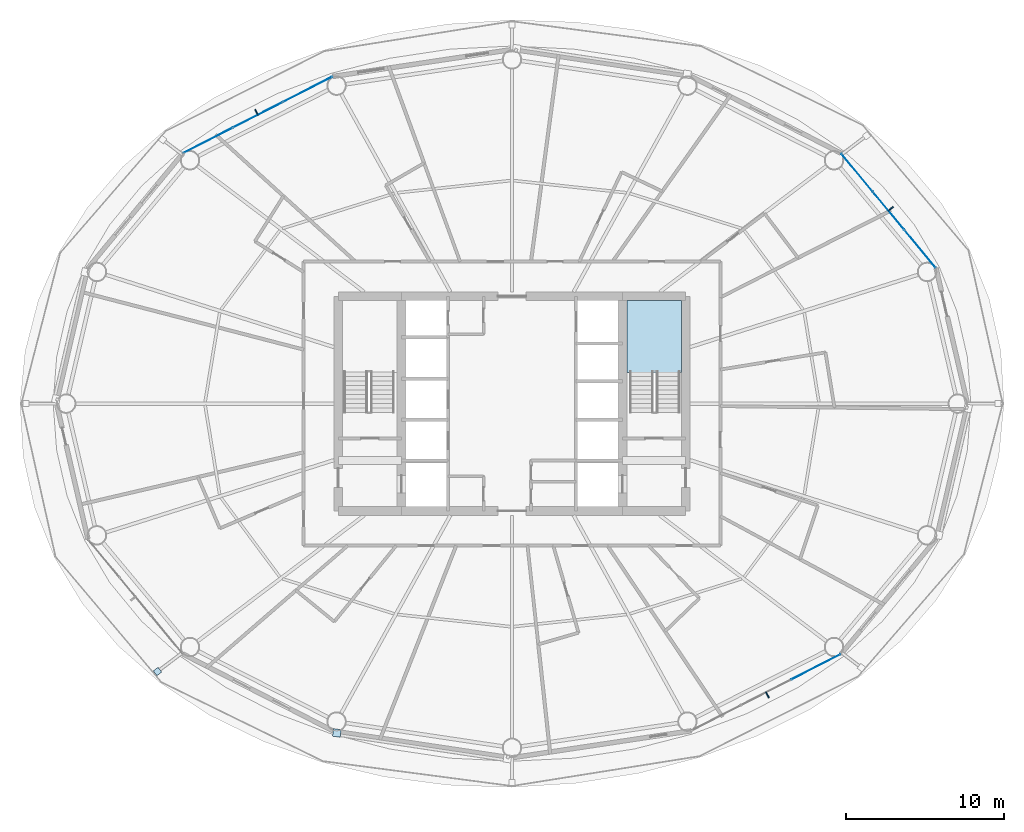
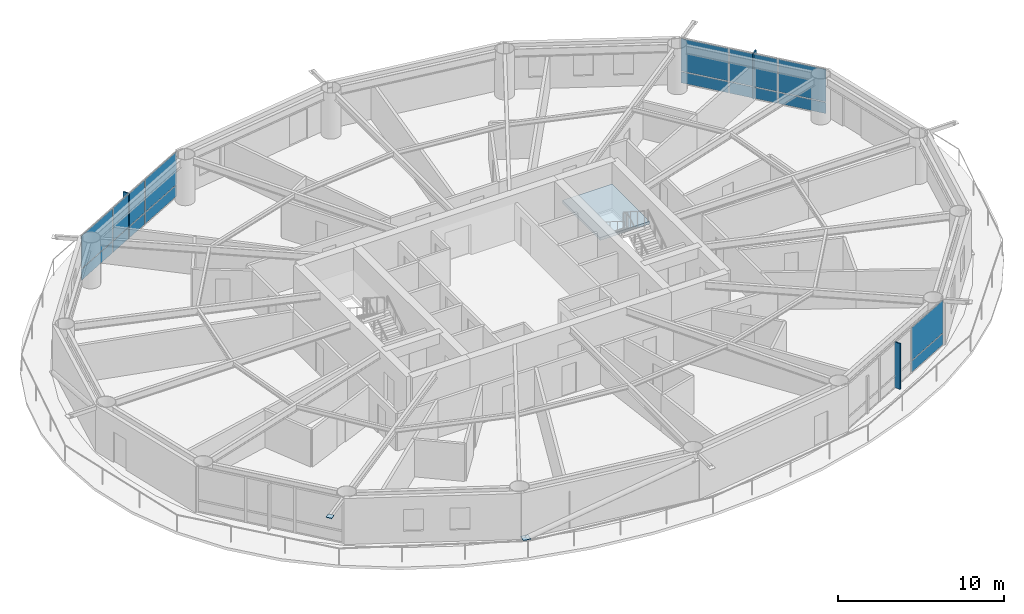
# One storey, part 16 of 24: 19 plates, 1 slab, 4 elements without a shape of their own.
"""IFC4 building model written with IfcOpenShell, lengths in metres."""

from ifc_helpers import new_model, si_unit, direction, frame, origin, origin_2d, place, context, subcontext, project, spatial, polyline, rectangle, outline, extrude, material, layer, layer_set, type_object, element, aggregate, save


model = new_model("IFC4")

# Units and contexts
model_context = context("Model", 3, precision=1e-05, world=origin(), true_north=direction((0.0, 1.0)))
body_context = subcontext(model_context, "Body", "Model", "MODEL_VIEW")
ifc_project = project(units=[si_unit("LENGTHUNIT", "METRE"), si_unit("AREAUNIT", "SQUARE_METRE"), si_unit("VOLUMEUNIT", "CUBIC_METRE"), si_unit("PLANEANGLEUNIT", "RADIAN"), si_unit("MASSUNIT", "GRAM", prefix="KILO")], contexts=[model_context])

# Site, building, storey
site_placement = place(None, origin())
site = spatial("IfcSite", under=ifc_project, at=site_placement, CompositionType="ELEMENT")
building_placement = place(site_placement, origin())
building = spatial("IfcBuilding", under=site, at=building_placement, Name="Sarneth Arch Tower", CompositionType="ELEMENT")
storey_placement = place(building_placement, frame((0.0, 0.0, 112.800048828125)))
storey = spatial("IfcBuildingStorey", under=building, at=storey_placement, Name="L28", CompositionType="ELEMENT", Elevation=112.800048828125)

# Curtain wall, plates
ifc_material_1 = material(Name="Anodised aluminium Type AA25 and solar-control low-e laminated IGU", Category="aluminium")
ifc_layer_1 = layer(ifc_material_1, 0.159912109375)
ifc_layer_set_1 = layer_set([ifc_layer_1], Name="Anodised aluminium Type AA25 and solar-control low-e laminated IGU")
curtain_wall_type = type_object("IfcCurtainWallType", Name="CW-HOTEL-MID", PredefinedType="NOTDEFINED", material=ifc_layer_set_1)
curtain_wall_1_placement = place(storey_placement, origin())
curtain_wall_1 = element("IfcCurtainWall", 1, at=curtain_wall_1_placement, inside=storey, type_object=curtain_wall_type, Name="L28 Unitised curtain wall facet 02", PredefinedType="NOTDEFINED")
ifc_material_2 = material(Name="Solar-control low-e laminated IGU", Category="glass")
ifc_layer_2 = layer(ifc_material_2, 0.028076171875)
ifc_layer_set_2 = layer_set([ifc_layer_2], Name="Solar-control low-e laminated IGU")
plate_type_1 = type_object("IfcPlateType", Name="CW-PANEL", PredefinedType="CURTAIN_PANEL", material=ifc_layer_set_2)
plate_1_placement = place(storey_placement, frame((73.84814453125, 51.807861328125, 0.059814453125), z_axis=(0.0, 0.0, 1.0), x_axis=(-0.637515188684, 0.770437787363, 0.0)))
plate_1 = element("IfcPlate", 2, at=plate_1_placement, type_object=plate_type_1, Name="Curtain wall glazed vision pane CW-L28-F02/P00-00", PredefinedType="CURTAIN_PANEL", context=body_context, shape_type="SweptSolid", body=[
    extrude(rectangle(XDim=3.058349609375, YDim=0.028076171875, at=origin_2d()), origin(), (0.0, 0.0, 1.0), 0.81005859375),
])
plate_2_placement = place(storey_placement, frame((73.84814453125, 51.807861328125, 0.93017578125), z_axis=(0.0, 0.0, 1.0), x_axis=(-0.637515188684, 0.770437787363, 0.0)))
plate_2 = element("IfcPlate", 3, at=plate_2_placement, type_object=plate_type_1, Name="Curtain wall glazed vision pane CW-L28-F02/P00-01", PredefinedType="CURTAIN_PANEL", context=body_context, shape_type="SweptSolid", body=[
    extrude(rectangle(XDim=3.058349609375, YDim=0.028076171875, at=origin_2d()), origin(), (0.0, 0.0, 1.0), 2.389892578125),
])
plate_3_placement = place(storey_placement, frame((71.8505859375, 54.221923828125, 0.059814453125), z_axis=(0.0, 0.0, 1.0), x_axis=(-0.637515188684, 0.770437787363, 0.0)))
plate_3 = element("IfcPlate", 4, at=plate_3_placement, type_object=plate_type_1, Name="Curtain wall glazed vision pane CW-L28-F02/P01-00", PredefinedType="CURTAIN_PANEL", context=body_context, shape_type="SweptSolid", body=[
    extrude(rectangle(XDim=3.08837890625, YDim=0.028076171875, at=origin_2d()), origin(), (0.0, 0.0, 1.0), 0.81005859375),
])
plate_4_placement = place(storey_placement, frame((71.8505859375, 54.221923828125, 0.93017578125), z_axis=(0.0, 0.0, 1.0), x_axis=(-0.637515188684, 0.770437787363, 0.0)))
plate_4 = element("IfcPlate", 5, at=plate_4_placement, type_object=plate_type_1, Name="Curtain wall glazed vision pane CW-L28-F02/P01-01", PredefinedType="CURTAIN_PANEL", context=body_context, shape_type="SweptSolid", body=[
    extrude(rectangle(XDim=3.08837890625, YDim=0.028076171875, at=origin_2d()), origin(), (0.0, 0.0, 1.0), 2.389892578125),
])
plate_5_placement = place(storey_placement, frame((69.85302734375, 56.635986328125, 0.059814453125), z_axis=(0.0, 0.0, 1.0), x_axis=(-0.637515188684, 0.770437787363, 0.0)))
plate_5 = element("IfcPlate", 6, at=plate_5_placement, type_object=plate_type_1, Name="Curtain wall glazed vision pane CW-L28-F02/P02-00", PredefinedType="CURTAIN_PANEL", context=body_context, shape_type="SweptSolid", body=[
    extrude(rectangle(XDim=3.058349609375, YDim=0.028076171875, at=origin_2d()), origin(), (0.0, 0.0, 1.0), 0.81005859375),
])
plate_6_placement = place(storey_placement, frame((69.85302734375, 56.635986328125, 0.93017578125), z_axis=(0.0, 0.0, 1.0), x_axis=(-0.637515188684, 0.770437787363, 0.0)))
plate_6 = element("IfcPlate", 7, at=plate_6_placement, type_object=plate_type_1, Name="Curtain wall glazed vision pane CW-L28-F02/P02-01", PredefinedType="CURTAIN_PANEL", context=body_context, shape_type="SweptSolid", body=[
    extrude(rectangle(XDim=3.058349609375, YDim=0.028076171875, at=origin_2d()), origin(), (0.0, 0.0, 1.0), 2.389892578125),
])
aggregate(curtain_wall_1, [plate_1, plate_2, plate_3, plate_4, plate_5, plate_6])

curtain_wall_2_placement = place(storey_placement, origin())
curtain_wall_2 = element("IfcCurtainWall", 8, at=curtain_wall_2_placement, inside=storey, type_object=curtain_wall_type, Name="L28 Unitised curtain wall facet 06", PredefinedType="NOTDEFINED")
plate_7_placement = place(storey_placement, frame((35.053955078125, 61.905517578125, 0.059814453125), z_axis=(0.0, 0.0, 1.0), x_axis=(-0.889963703649, -0.456031365356, 0.0)))
plate_7 = element("IfcPlate", 9, at=plate_7_placement, type_object=plate_type_1, Name="Curtain wall glazed vision pane CW-L28-F06/P00-00", PredefinedType="CURTAIN_PANEL", context=body_context, shape_type="SweptSolid", body=[
    extrude(rectangle(XDim=3.464111328125, YDim=0.028076171875, at=origin_2d()), origin(), (0.0, 0.0, 1.0), 0.81005859375),
])
plate_8_placement = place(storey_placement, frame((35.053955078125, 61.905517578125, 0.93017578125), z_axis=(0.0, 0.0, 1.0), x_axis=(-0.889963703649, -0.456031365356, 0.0)))
plate_8 = element("IfcPlate", 10, at=plate_8_placement, type_object=plate_type_1, Name="Curtain wall glazed vision pane CW-L28-F06/P00-01", PredefinedType="CURTAIN_PANEL", context=body_context, shape_type="SweptSolid", body=[
    extrude(rectangle(XDim=3.464111328125, YDim=0.028076171875, at=origin_2d()), origin(), (0.0, 0.0, 1.0), 2.389892578125),
])
plate_9_placement = place(storey_placement, frame((31.904296875, 60.29150390625, 0.059814453125), z_axis=(0.0, 0.0, 1.0), x_axis=(-0.889963703649, -0.456031365356, 0.0)))
plate_9 = element("IfcPlate", 11, at=plate_9_placement, type_object=plate_type_1, Name="Curtain wall glazed vision pane CW-L28-F06/P01-00", PredefinedType="CURTAIN_PANEL", context=body_context, shape_type="SweptSolid", body=[
    extrude(rectangle(XDim=3.493896484375, YDim=0.028076171875, at=origin_2d()), origin(), (0.0, 0.0, 1.0), 0.81005859375),
])
plate_10_placement = place(storey_placement, frame((31.904296875, 60.29150390625, 0.93017578125), z_axis=(0.0, 0.0, 1.0), x_axis=(-0.889963703649, -0.456031365356, 0.0)))
plate_10 = element("IfcPlate", 12, at=plate_10_placement, type_object=plate_type_1, Name="Curtain wall glazed vision pane CW-L28-F06/P01-01", PredefinedType="CURTAIN_PANEL", context=body_context, shape_type="SweptSolid", body=[
    extrude(rectangle(XDim=3.493896484375, YDim=0.028076171875, at=origin_2d()), origin(), (0.0, 0.0, 1.0), 2.389892578125),
])
plate_11_placement = place(storey_placement, frame((28.7548828125, 58.677734375, 0.059814453125), z_axis=(0.0, 0.0, 1.0), x_axis=(-0.889963703649, -0.456031365356, 0.0)))
plate_11 = element("IfcPlate", 13, at=plate_11_placement, type_object=plate_type_1, Name="Curtain wall glazed vision pane CW-L28-F06/P02-00", PredefinedType="CURTAIN_PANEL", context=body_context, shape_type="SweptSolid", body=[
    extrude(rectangle(XDim=3.464111328125, YDim=0.028076171875, at=origin_2d()), origin(), (0.0, 0.0, 1.0), 0.81005859375),
])
plate_12_placement = place(storey_placement, frame((28.7548828125, 58.677734375, 0.93017578125), z_axis=(0.0, 0.0, 1.0), x_axis=(-0.889963703649, -0.456031365356, 0.0)))
plate_12 = element("IfcPlate", 14, at=plate_12_placement, type_object=plate_type_1, Name="Curtain wall glazed vision pane CW-L28-F06/P02-01", PredefinedType="CURTAIN_PANEL", context=body_context, shape_type="SweptSolid", body=[
    extrude(rectangle(XDim=3.464111328125, YDim=0.028076171875, at=origin_2d()), origin(), (0.0, 0.0, 1.0), 2.389892578125),
])
aggregate(curtain_wall_2, [plate_7, plate_8, plate_9, plate_10, plate_11, plate_12])

curtain_wall_3_placement = place(storey_placement, origin())
curtain_wall_3 = element("IfcCurtainWall", 15, at=curtain_wall_3_placement, inside=storey, type_object=curtain_wall_type, Name="L28 Unitised curtain wall facet 14", PredefinedType="NOTDEFINED")
plate_13_placement = place(storey_placement, frame((67.2451171875, 25.322265625, 0.059814453125), z_axis=(0.0, 0.0, 1.0), x_axis=(0.889963703649, 0.456031365356, 0.0)))
plate_13 = element("IfcPlate", 16, at=plate_13_placement, type_object=plate_type_1, Name="Curtain wall glazed vision pane CW-L28-F14/P02-00", PredefinedType="CURTAIN_PANEL", context=body_context, shape_type="SweptSolid", body=[
    extrude(rectangle(XDim=3.464111328125, YDim=0.028076171875, at=origin_2d()), origin(), (0.0, 0.0, 1.0), 0.81005859375),
])
plate_14_placement = place(storey_placement, frame((67.2451171875, 25.322265625, 0.93017578125), z_axis=(0.0, 0.0, 1.0), x_axis=(0.889963703649, 0.456031365356, 0.0)))
plate_14 = element("IfcPlate", 17, at=plate_14_placement, type_object=plate_type_1, Name="Curtain wall glazed vision pane CW-L28-F14/P02-01", PredefinedType="CURTAIN_PANEL", context=body_context, shape_type="SweptSolid", body=[
    extrude(rectangle(XDim=3.464111328125, YDim=0.028076171875, at=origin_2d()), origin(), (0.0, 0.0, 1.0), 2.389892578125),
])
aggregate(curtain_wall_3, [plate_13, plate_14])

# Plates
ifc_material_3 = material(Name="Steel S355", Category="steel")
ifc_layer_3 = layer(ifc_material_3, 0.035888671875)
ifc_layer_set_3 = layer_set([ifc_layer_3], Name="Steel S355")
plate_type_2 = type_object("IfcPlateType", Name="PLT-GUSSET-30", PredefinedType="SHEET", material=ifc_layer_set_3)
plate_15_placement = place(storey_placement, frame((25.54443359375, 25.030029296875, 3.2021484375), z_axis=(0.0, 0.0, 1.0), x_axis=(-0.797794439539, -0.602929541689, 0.0)))
element("IfcPlate", 18, at=plate_15_placement, inside=storey, type_object=plate_type_2, Name="Steel end cap plate GP-1", PredefinedType="SHEET", context=body_context, shape_type="SweptSolid", body=[
    extrude(rectangle(XDim=0.3798828125, YDim=0.3798828125, at=origin_2d()), origin(), (0.0, 0.0, 1.0), 0.035888671875),
])
plate_16_placement = place(storey_placement, frame((36.9072265625, 21.140380859375, 0.001953125), z_axis=(0.0, 0.0, 1.0), x_axis=(0.988860535448, -0.148845024885, 0.0)))
element("IfcPlate", 19, at=plate_16_placement, inside=storey, type_object=plate_type_2, Name="Steel end cap plate GP-1", PredefinedType="SHEET", context=body_context, shape_type="SweptSolid", body=[
    extrude(rectangle(XDim=0.486083984375, YDim=0.486083984375, at=origin_2d()), origin(), (0.0, 0.0, 1.0), 0.035888671875),
])
ifc_material_4 = material(Name="Extruded glazed terracotta baguette fin on Aluminium 6063-T6 carrier", Category="masonry")
ifc_layer_4 = layer(ifc_material_4, 0.080078125)
ifc_layer_set_4 = layer_set([ifc_layer_4], Name="Extruded glazed terracotta baguette fin on Aluminium 6063-T6 carrier")
plate_type_3 = type_object("IfcPlateType", Name="SHADE-TERRA-FIN", PredefinedType="SHEET", material=ifc_layer_set_4)
for number, where, z_axis, x_axis, name in (
    (20, (71.981689453125, 54.330322265625, 0.009765625), (0.0, 0.0, 1.0), (0.770401979567, 0.63755845997, 0.0), "L28 Terracotta vertical shading fin 02"),
    (21, (31.826904296875, 60.44287109375, 0.009765625), (0.0, 0.0, 1.0), (-0.456010959102, 0.889974159838, 0.0), "L28 Terracotta vertical shading fin 06"),
    (22, (64.173095703125, 23.55712890625, 0.009765625), (0.0, 0.0, 1.0), (0.456010959102, -0.889974159838, 0.0), "L28 Terracotta vertical shading fin 14"),
):
    element("IfcPlate", number, at=place(storey_placement, frame(where, z_axis=z_axis, x_axis=x_axis)), inside=storey, type_object=plate_type_3, Name=name, PredefinedType="SHEET", context=body_context, shape_type="SweptSolid", body=[
        extrude(rectangle(XDim=0.419921875, YDim=0.080078125, at=origin_2d()), origin(), (0.0, 0.0, 1.0), 3.360107421875),
    ])

# Stair, slab
ifc_material_5 = material(Name="Concrete C50/60", Category="concrete")
stair_type = type_object("IfcStairType", Name="STAIR-CORE-RC", PredefinedType="HALF_TURN_STAIR", material=ifc_material_5)
stair_placement = place(storey_placement, origin())
stair = element("IfcStair", 23, at=stair_placement, inside=storey, type_object=stair_type, Name="L28 Core Exit Stair 2", PredefinedType="HALF_TURN_STAIR")
ifc_material_6 = material(Name="Concrete C50/60", Category="concrete")
ifc_layer_5 = layer(ifc_material_6, 0.199951171875)
ifc_layer_set_5 = layer_set([ifc_layer_5], Name="Concrete C50/60")
slab_type = type_object("IfcSlabType", Name="SLAB-LANDING-200", PredefinedType="LANDING", material=ifc_layer_set_5)
slab_placement = place(storey_placement, frame((0.0, 0.0, 1.599853515625)))
slab = element("IfcSlab", 24, at=slab_placement, type_object=slab_type, Name="ST-2 landing 1", PredefinedType="LANDING", context=body_context, shape_type="SweptSolid", body=[
    extrude(outline(polyline([(55.27490234375, 43.985107421875), (58.72509765625, 43.985107421875), (58.72509765625, 48.52490234375), (55.27490234375, 48.52490234375), (55.27490234375, 43.985107421875)])), origin(), (0.0, 0.0, 1.0), 0.2001953125),
])
aggregate(stair, [slab])

save(model, "model.ifc")
